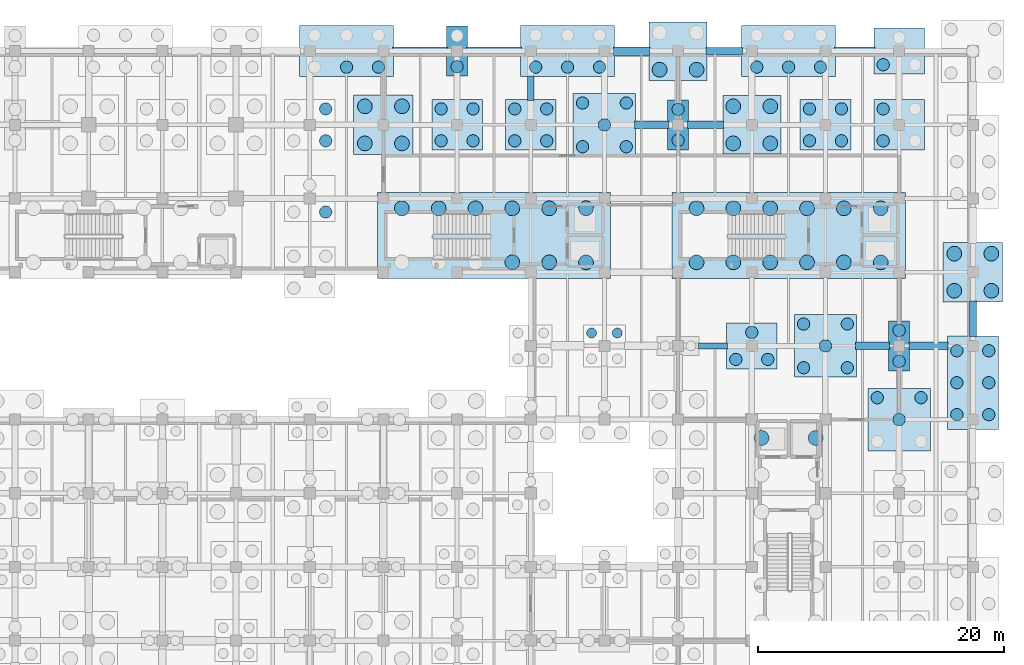
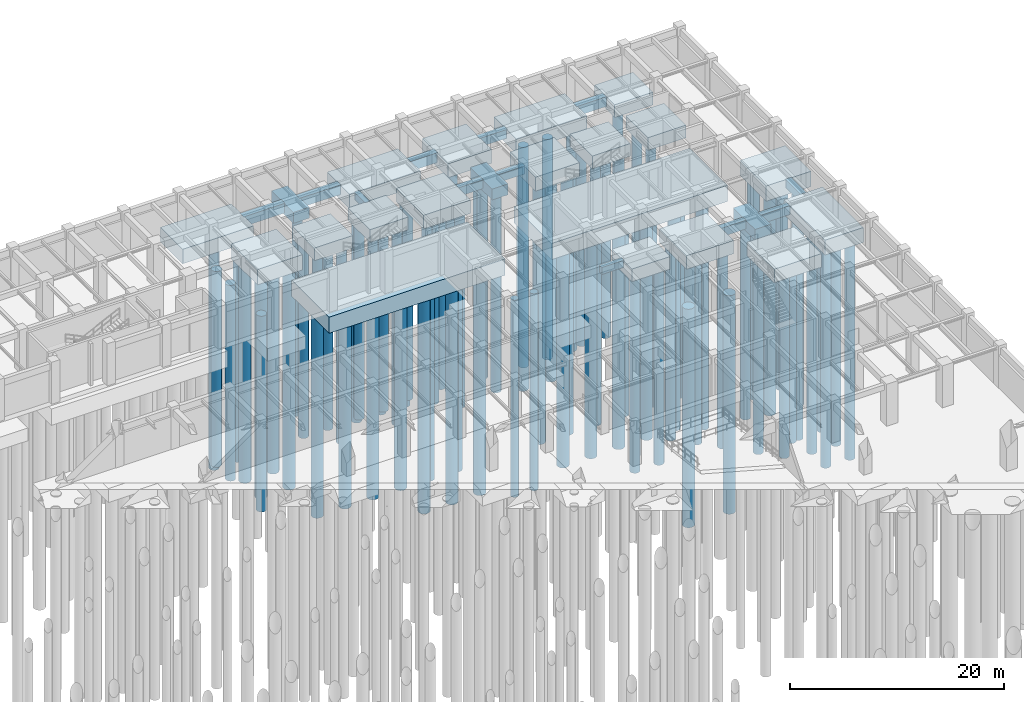
# One storey, part 22 of 54: 92 piles, 34 footings.
"""IFC4 building model written with IfcOpenShell, lengths in metres."""

from ifc_helpers import new_model, si_unit, direction, frame, origin, origin_2d, place, context, subcontext, project, spatial, rectangle, circle, extrude, material, material_profile, profile_set, type_object, element, save


model = new_model("IFC4")

# Units and contexts
model_context = context("Model", 3, precision=1e-05, world=origin(), true_north=direction((0.0, 1.0)))
body_context = subcontext(model_context, "Body", "Model", "MODEL_VIEW")
ifc_project = project(units=[si_unit("LENGTHUNIT", "METRE"), si_unit("AREAUNIT", "SQUARE_METRE"), si_unit("VOLUMEUNIT", "CUBIC_METRE"), si_unit("PLANEANGLEUNIT", "RADIAN"), si_unit("MASSUNIT", "GRAM", prefix="KILO"), si_unit("THERMODYNAMICTEMPERATUREUNIT", "KELVIN"), si_unit("POWERUNIT", "WATT")], contexts=[model_context])

# Site, building, storey
site_placement = place(None, origin())
site = spatial("IfcSite", under=ifc_project, at=site_placement, CompositionType="ELEMENT")
building_placement = place(site_placement, origin())
building = spatial("IfcBuilding", under=site, at=building_placement, Name="Phaisarnlok Congress Hotel", CompositionType="ELEMENT")
storey_placement = place(building_placement, frame((0.0, 0.0, -4.800048828125)))
storey = spatial("IfcBuildingStorey", under=building, at=storey_placement, Name="B01", CompositionType="ELEMENT", Elevation=-4.800048828125)

# Footings
ifc_material_1 = material(Name="Concrete C40/50", Category="concrete")
footing_type_1 = type_object("IfcFootingType", Name="CAP-2P-D", PredefinedType="PILE_CAP", material=ifc_material_1)
for number, where, z_axis, x_axis, name in (
    (1, (138.0, 126.0, -1.75), (0.0, 0.0, 1.0), (1.0, 0.0, 0.0), "Pile cap PC-14 at (138,126)"),
    (2, (156.0, 120.0, -1.75), (0.0, 0.0, 1.0), (1.0, 0.0, 0.0), "Pile cap PC-14 at (156,120)"),
    (3, (174.0, 102.0, -1.75), (0.0, 0.0, 1.0), (1.0, 0.0, 0.0), "Pile cap PC-14 at (174,102)"),
):
    element("IfcFooting", number, at=place(storey_placement, frame(where, z_axis=z_axis, x_axis=x_axis)), inside=storey, type_object=footing_type_1, Name=name, PredefinedType="PILE_CAP", context=body_context, shape_type="SweptSolid", body=[
        extrude(rectangle(XDim=1.719970703125, YDim=4.080078125, at=origin_2d()), origin(), (0.0, 0.0, 1.0), 1.25),
    ])
footing_type_2 = type_object("IfcFootingType", Name="CAP-3P-B", PredefinedType="PILE_CAP", material=ifc_material_1)
for number, where, z_axis, x_axis, name in (
    (4, (162.0, 102.0, -1.94970703125), (0.0, 0.0, 1.0), (1.0, 0.0, 0.0), "Pile cap PC-05 at (162,102)"),
    (5, (174.0, 126.0, -1.94970703125), (0.0, 0.0, 1.0), (1.0, 0.0, 0.0), "Pile cap PC-05 at (174,126)"),
):
    element("IfcFooting", number, at=place(storey_placement, frame(where, z_axis=z_axis, x_axis=x_axis)), inside=storey, type_object=footing_type_2, Name=name, PredefinedType="PILE_CAP", context=body_context, shape_type="SweptSolid", body=[
        extrude(rectangle(XDim=4.1201171875, YDim=3.739990234375, at=origin_2d()), origin(), (0.0, 0.0, 1.0), 1.449951171875),
    ])
footing_type_3 = type_object("IfcFootingType", Name="CAP-4P-B", PredefinedType="PILE_CAP", material=ifc_material_1)
for number, where, z_axis, x_axis, name in (
    (6, (138.0, 120.0, -1.94970703125), (0.0, 0.0, 1.0), (1.0, 0.0, 0.0), "Pile cap PC-07 at (138,120)"),
    (7, (144.0, 120.0, -1.94970703125), (0.0, 0.0, 1.0), (1.0, 0.0, 0.0), "Pile cap PC-07 at (144,120)"),
    (8, (168.0, 120.0, -1.94970703125), (0.0, 0.0, 1.0), (1.0, 0.0, 0.0), "Pile cap PC-07 at (168,120)"),
    (9, (174.0, 120.0, -1.94970703125), (0.0, 0.0, 1.0), (1.0, 0.0, 0.0), "Pile cap PC-07 at (174,120)"),
):
    element("IfcFooting", number, at=place(storey_placement, frame(where, z_axis=z_axis, x_axis=x_axis)), inside=storey, type_object=footing_type_3, Name=name, PredefinedType="PILE_CAP", context=body_context, shape_type="SweptSolid", body=[
        extrude(rectangle(XDim=4.1201171875, YDim=4.1201171875, at=origin_2d()), origin(), (0.0, 0.0, 1.0), 1.449951171875),
    ])
footing_type_4 = type_object("IfcFootingType", Name="CAP-4P-C", PredefinedType="PILE_CAP", material=ifc_material_1)
for number, where, z_axis, x_axis, name in (
    (10, (156.0, 126.0, -2.10009765625), (0.0, 0.0, 1.0), (1.0, 0.0, 0.0), "Pile cap PC-08 at (156,126)"),
    (11, (162.0, 120.0, -2.10009765625), (0.0, 0.0, 1.0), (1.0, 0.0, 0.0), "Pile cap PC-08 at (162,120)"),
):
    element("IfcFooting", number, at=place(storey_placement, frame(where, z_axis=z_axis, x_axis=x_axis)), inside=storey, type_object=footing_type_4, Name=name, PredefinedType="PILE_CAP", context=body_context, shape_type="SweptSolid", body=[
        extrude(rectangle(XDim=4.719970703125, YDim=4.760009765625, at=origin_2d()), origin(), (0.0, 0.0, 1.0), 1.60009765625),
    ])
footing_type_5 = type_object("IfcFootingType", Name="CAP-4P-D", PredefinedType="PILE_CAP", material=ifc_material_1)
for number, where, z_axis, x_axis, name in (
    (12, (132.0, 120.0, -2.25), (0.0, 0.0, 1.0), (1.0, 0.0, 0.0), "Pile cap PC-09 at (132,120)"),
    (13, (180.0, 108.0, -2.25), (0.0, 0.0, 1.0), (1.0, 0.0, 0.0), "Pile cap PC-09 at (180,108)"),
):
    element("IfcFooting", number, at=place(storey_placement, frame(where, z_axis=z_axis, x_axis=x_axis)), inside=storey, type_object=footing_type_5, Name=name, PredefinedType="PILE_CAP", context=body_context, shape_type="SweptSolid", body=[
        extrude(rectangle(XDim=4.840087890625, YDim=4.840087890625, at=origin_2d()), origin(), (0.0, 0.0, 1.0), 1.75),
    ])
footing_type_6 = type_object("IfcFootingType", Name="CAP-5P-A", PredefinedType="PILE_CAP", material=ifc_material_1)
for number, where, z_axis, x_axis, name in (
    (14, (150.0, 120.0, -2.0498046875), (0.0, 0.0, 1.0), (1.0, 0.0, 0.0), "Pile cap PC-13 at (150,120)"),
    (15, (168.0, 102.0, -2.0498046875), (0.0, 0.0, 1.0), (1.0, 0.0, 0.0), "Pile cap PC-13 at (168,102)"),
    (16, (174.0, 96.0, -2.0498046875), (0.0, 0.0, 1.0), (1.0, 0.0, 0.0), "Pile cap PC-13 at (174,96)"),
):
    element("IfcFooting", number, at=place(storey_placement, frame(where, z_axis=z_axis, x_axis=x_axis)), inside=storey, type_object=footing_type_6, Name=name, PredefinedType="PILE_CAP", context=body_context, shape_type="SweptSolid", body=[
        extrude(rectangle(XDim=5.080078125, YDim=5.080078125, at=origin_2d()), origin(), (0.0, 0.0, 1.0), 1.550048828125),
    ])
footing_type_7 = type_object("IfcFootingType", Name="CAP-6P-A", PredefinedType="PILE_CAP", material=ifc_material_1)
for number, where, z_axis, x_axis, name in (
    (17, (129.0, 126.0, -2.14990234375), (0.0, 0.0, 1.0), (1.0, 0.0, 0.0), "Combined pile cap PC-11 at (129,126)"),
    (18, (147.0, 126.0, -2.14990234375), (0.0, 0.0, 1.0), (1.0, 0.0, 0.0), "Combined pile cap PC-11 at (147,126)"),
    (19, (165.0, 126.0, -2.14990234375), (0.0, 0.0, 1.0), (1.0, 0.0, 0.0), "Combined pile cap PC-11 at (165,126)"),
):
    element("IfcFooting", number, at=place(storey_placement, frame(where, z_axis=z_axis, x_axis=x_axis)), inside=storey, type_object=footing_type_7, Name=name, PredefinedType="PILE_CAP", context=body_context, shape_type="SweptSolid", body=[
        extrude(rectangle(XDim=7.639892578125, YDim=4.159912109375, at=origin_2d()), origin(), (0.0, 0.0, 1.0), 1.64990234375),
    ])
footing_type_8 = type_object("IfcFootingType", Name="CAP-6P-B", PredefinedType="PILE_CAP", material=ifc_material_1)
footing_1_placement = place(storey_placement, frame((180.0, 99.0, -2.19970703125), z_axis=(0.0, 0.0, 1.0), x_axis=(1.0, 0.0, 0.0)))
element("IfcFooting", 20, at=footing_1_placement, inside=storey, type_object=footing_type_8, Name="Combined pile cap PC-12 at (180,99)", PredefinedType="PILE_CAP", context=body_context, shape_type="SweptSolid", body=[
    extrude(rectangle(XDim=4.159912109375, YDim=7.639892578125, at=origin_2d()), origin(), (0.0, 0.0, 1.0), 1.699951171875),
])
footing_type_9 = type_object("IfcFootingType", Name="CAP-CORE-H", PredefinedType="PILE_CAP", material=ifc_material_1)
for number, where, z_axis, x_axis, name in (
    (21, (165.0, 111.0, -2.35009765625), (0.0, 0.0, 1.0), (1.0, 0.0, 0.0), "Core pile cap PC-15 (CORE-1)"),
    (22, (141.0, 111.0, -2.35009765625), (0.0, 0.0, 1.0), (1.0, 0.0, 0.0), "Core pile cap PC-15 (CORE-2)"),
):
    element("IfcFooting", number, at=place(storey_placement, frame(where, z_axis=z_axis, x_axis=x_axis)), inside=storey, type_object=footing_type_9, Name=name, PredefinedType="PILE_CAP", context=body_context, shape_type="SweptSolid", body=[
        extrude(rectangle(XDim=19.0, YDim=7.0, at=origin_2d()), origin(), (0.0, 0.0, 1.0), 1.85009765625),
    ])
ifc_material_profile_1 = material_profile(ifc_material_1, rectangle(XDim=0.5, YDim=0.800048828125, at=origin_2d()), Name="FB-500x800")
ifc_profile_set_1 = profile_set([ifc_material_profile_1], Name="Concrete C40/50")
footing_type_10 = type_object("IfcFootingType", Name="FB-500x800", PredefinedType="FOOTING_BEAM", material=ifc_profile_set_1)
footing_2_placement = place(storey_placement, frame((144.0, 121.985107421875, -0.89990234375), z_axis=(0.0, 1.0, 0.0), x_axis=(-1.0, 0.0, 0.0)))
element("IfcFooting", 23, at=footing_2_placement, inside=storey, type_object=footing_type_10, Name="Ground tie beam FB-01", PredefinedType="FOOTING_BEAM", context=body_context, shape_type="SweptSolid", body=[
    extrude(rectangle(XDim=0.5, YDim=0.800048828125, at=origin_2d()), origin(), (0.0, 0.0, 1.0), 2.010009765625),
])
footing_3_placement = place(storey_placement, frame((157.64501953125, 102.0, -0.89990234375), z_axis=(1.0, 0.0, 0.0), x_axis=(0.0, 1.0, 0.0)))
element("IfcFooting", 24, at=footing_3_placement, inside=storey, type_object=footing_type_10, Name="Ground tie beam FB-01", PredefinedType="FOOTING_BEAM", context=body_context, shape_type="SweptSolid", body=[
    extrude(rectangle(XDim=0.5, YDim=0.800048828125, at=origin_2d()), origin(), (0.0, 0.0, 1.0), 2.369873046875),
])
ifc_material_profile_2 = material_profile(ifc_material_1, rectangle(XDim=0.60009765625, YDim=1.0, at=origin_2d()), Name="FB-600x1000")
ifc_profile_set_2 = profile_set([ifc_material_profile_2], Name="Concrete C40/50")
footing_type_11 = type_object("IfcFootingType", Name="FB-600x1000", PredefinedType="FOOTING_BEAM", material=ifc_profile_set_2)
footing_4_placement = place(storey_placement, frame((152.465087890625, 120.0, -1.0), z_axis=(1.0, 0.0, 0.0), x_axis=(0.0, 1.0, 0.0)))
element("IfcFooting", 25, at=footing_4_placement, inside=storey, type_object=footing_type_11, Name="Ground tie beam FB-03", PredefinedType="FOOTING_BEAM", context=body_context, shape_type="SweptSolid", body=[
    extrude(rectangle(XDim=0.60009765625, YDim=1.0, at=origin_2d()), origin(), (0.0, 0.0, 1.0), 2.75),
])
footing_5_placement = place(storey_placement, frame((158.284912109375, 126.0, -1.0), z_axis=(1.0, 0.0, 0.0), x_axis=(0.0, 1.0, 0.0)))
element("IfcFooting", 26, at=footing_5_placement, inside=storey, type_object=footing_type_11, Name="Ground tie beam FB-03", PredefinedType="FOOTING_BEAM", context=body_context, shape_type="SweptSolid", body=[
    extrude(rectangle(XDim=0.60009765625, YDim=1.0, at=origin_2d()), origin(), (0.0, 0.0, 1.0), 2.969970703125),
])
footing_6_placement = place(storey_placement, frame((170.465087890625, 102.0, -1.0), z_axis=(1.0, 0.0, 0.0), x_axis=(0.0, 1.0, 0.0)))
element("IfcFooting", 27, at=footing_6_placement, inside=storey, type_object=footing_type_11, Name="Ground tie beam FB-03", PredefinedType="FOOTING_BEAM", context=body_context, shape_type="SweptSolid", body=[
    extrude(rectangle(XDim=0.60009765625, YDim=1.0, at=origin_2d()), origin(), (0.0, 0.0, 1.0), 2.75),
])
footing_7_placement = place(storey_placement, frame((174.784912109375, 102.0, -1.0), z_axis=(1.0, 0.0, 0.0), x_axis=(0.0, 1.0, 0.0)))
element("IfcFooting", 28, at=footing_7_placement, inside=storey, type_object=footing_type_11, Name="Ground tie beam FB-03", PredefinedType="FOOTING_BEAM", context=body_context, shape_type="SweptSolid", body=[
    extrude(rectangle(XDim=0.60009765625, YDim=1.0, at=origin_2d()), origin(), (0.0, 0.0, 1.0), 3.210205078125),
])
ifc_material_profile_3 = material_profile(ifc_material_1, rectangle(XDim=0.60009765625, YDim=0.89990234375, at=origin_2d()), Name="FB-600x900")
ifc_profile_set_3 = profile_set([ifc_material_profile_3], Name="Concrete C40/50")
footing_type_12 = type_object("IfcFootingType", Name="FB-600x900", PredefinedType="FOOTING_BEAM", material=ifc_profile_set_3)
footing_8_placement = place(storey_placement, frame((156.784912109375, 120.0, -0.949951171875), z_axis=(1.0, 0.0, 0.0), x_axis=(0.0, 1.0, 0.0)))
element("IfcFooting", 29, at=footing_8_placement, inside=storey, type_object=footing_type_12, Name="Ground tie beam FB-02", PredefinedType="FOOTING_BEAM", context=body_context, shape_type="SweptSolid", body=[
    extrude(rectangle(XDim=0.60009765625, YDim=0.89990234375, at=origin_2d()), origin(), (0.0, 0.0, 1.0), 2.93017578125),
])
footing_9_placement = place(storey_placement, frame((180.0, 102.7451171875, -0.949951171875), z_axis=(0.0, 1.0, 0.0), x_axis=(-1.0, 0.0, 0.0)))
element("IfcFooting", 30, at=footing_9_placement, inside=storey, type_object=footing_type_12, Name="Ground tie beam FB-02", PredefinedType="FOOTING_BEAM", context=body_context, shape_type="SweptSolid", body=[
    extrude(rectangle(XDim=0.60009765625, YDim=0.89990234375, at=origin_2d()), origin(), (0.0, 0.0, 1.0), 2.909912109375),
])
ifc_material_profile_4 = material_profile(ifc_material_1, rectangle(XDim=0.699951171875, YDim=1.10009765625, at=origin_2d()), Name="FB-700x1100")
ifc_profile_set_4 = profile_set([ifc_material_profile_4], Name="Concrete C40/50")
footing_type_13 = type_object("IfcFootingType", Name="FB-700x1100", PredefinedType="FOOTING_BEAM", material=ifc_profile_set_4)
for number, where, z_axis, x_axis, name in (
    (31, (132.7451171875, 126.0, -1.050048828125), (1.0, 0.0, 0.0), (0.0, 1.0, 0.0), "Ground tie beam FB-04"),
    (32, (138.784912109375, 126.0, -1.050048828125), (1.0, 0.0, 0.0), (0.0, 1.0, 0.0), "Ground tie beam FB-04"),
):
    element("IfcFooting", number, at=place(storey_placement, frame(where, z_axis=z_axis, x_axis=x_axis)), inside=storey, type_object=footing_type_13, Name=name, PredefinedType="FOOTING_BEAM", context=body_context, shape_type="SweptSolid", body=[
        extrude(rectangle(XDim=0.699951171875, YDim=1.10009765625, at=origin_2d()), origin(), (0.0, 0.0, 1.0), 4.469970703125),
    ])
footing_10_placement = place(storey_placement, frame((150.7451171875, 126.0, -1.050048828125), z_axis=(1.0, 0.0, 0.0), x_axis=(0.0, 1.0, 0.0)))
element("IfcFooting", 33, at=footing_10_placement, inside=storey, type_object=footing_type_13, Name="Ground tie beam FB-04", PredefinedType="FOOTING_BEAM", context=body_context, shape_type="SweptSolid", body=[
    extrude(rectangle(XDim=0.699951171875, YDim=1.10009765625, at=origin_2d()), origin(), (0.0, 0.0, 1.0), 2.969970703125),
])
footing_11_placement = place(storey_placement, frame((168.7451171875, 126.0, -1.050048828125), z_axis=(1.0, 0.0, 0.0), x_axis=(0.0, 1.0, 0.0)))
element("IfcFooting", 34, at=footing_11_placement, inside=storey, type_object=footing_type_13, Name="Ground tie beam FB-04", PredefinedType="FOOTING_BEAM", context=body_context, shape_type="SweptSolid", body=[
    extrude(rectangle(XDim=0.699951171875, YDim=1.10009765625, at=origin_2d()), origin(), (0.0, 0.0, 1.0), 3.269775390625),
])

# Piles
ifc_material_2 = material(Name="Concrete C35/45", Category="concrete")
ifc_material_profile_5 = material_profile(ifc_material_2, circle(Radius=0.5, at=origin_2d()), Name="BORED PILE D1000")
ifc_profile_set_5 = profile_set([ifc_material_profile_5], Name="Concrete C35/45")
pile_type_1 = type_object("IfcPileType", Name="PILE-D1000", PredefinedType="BORED", material=ifc_profile_set_5)
for number, where, z_axis, x_axis, name in (
    (35, (129.0, 124.699951171875, -2.050048828125), (0.0, 0.0, -1.0), (1.0, 0.0, 0.0), "Bored pile PL-02 (FTG-B01-126-126-2)"),
    (36, (131.60009765625, 124.699951171875, -2.050048828125), (0.0, 0.0, -1.0), (1.0, 0.0, 0.0), "Bored pile PL-02 (FTG-B01-126-126-3)"),
    (37, (144.39990234375, 124.699951171875, -2.050048828125), (0.0, 0.0, -1.0), (1.0, 0.0, 0.0), "Bored pile PL-02 (FTG-B01-144-126-1)"),
    (38, (147.0, 124.699951171875, -2.050048828125), (0.0, 0.0, -1.0), (1.0, 0.0, 0.0), "Bored pile PL-02 (FTG-B01-144-126-2)"),
    (39, (149.60009765625, 124.699951171875, -2.050048828125), (0.0, 0.0, -1.0), (1.0, 0.0, 0.0), "Bored pile PL-02 (FTG-B01-144-126-3)"),
    (40, (162.39990234375, 124.699951171875, -2.050048828125), (0.0, 0.0, -1.0), (1.0, 0.0, 0.0), "Bored pile PL-02 (FTG-B01-162-126-1)"),
    (41, (165.0, 124.699951171875, -2.050048828125), (0.0, 0.0, -1.0), (1.0, 0.0, 0.0), "Bored pile PL-02 (FTG-B01-162-126-2)"),
    (42, (167.60009765625, 124.699951171875, -2.050048828125), (0.0, 0.0, -1.0), (1.0, 0.0, 0.0), "Bored pile PL-02 (FTG-B01-162-126-3)"),
):
    element("IfcPile", number, at=place(storey_placement, frame(where, z_axis=z_axis, x_axis=x_axis)), inside=storey, type_object=pile_type_1, Name=name, PredefinedType="BORED", context=body_context, shape_type="SweptSolid", body=[
        extrude(circle(Radius=0.5, at=origin_2d()), origin(), (0.0, 0.0, 1.0), 25.14990234375),
    ])
for number, where, z_axis, x_axis, name in (
    (43, (178.699951171875, 96.39990234375, -2.099853515625), (0.0, 0.0, -1.0), (1.0, 0.0, 0.0), "Bored pile PL-02 (FTG-B01-180-096-1)"),
    (44, (181.300048828125, 96.39990234375, -2.099853515625), (0.0, 0.0, -1.0), (1.0, 0.0, 0.0), "Bored pile PL-02 (FTG-B01-180-096-2)"),
    (45, (178.699951171875, 99.0, -2.099853515625), (0.0, 0.0, -1.0), (1.0, 0.0, 0.0), "Bored pile PL-02 (FTG-B01-180-096-3)"),
    (46, (181.300048828125, 99.0, -2.099853515625), (0.0, 0.0, -1.0), (1.0, 0.0, 0.0), "Bored pile PL-02 (FTG-B01-180-096-4)"),
    (47, (178.699951171875, 101.60009765625, -2.099853515625), (0.0, 0.0, -1.0), (1.0, 0.0, 0.0), "Bored pile PL-02 (FTG-B01-180-096-5)"),
    (48, (181.300048828125, 101.60009765625, -2.099853515625), (0.0, 0.0, -1.0), (1.0, 0.0, 0.0), "Bored pile PL-02 (FTG-B01-180-096-6)"),
):
    element("IfcPile", number, at=place(storey_placement, frame(where, z_axis=z_axis, x_axis=x_axis)), inside=storey, type_object=pile_type_1, Name=name, PredefinedType="BORED", context=body_context, shape_type="SweptSolid", body=[
        extrude(circle(Radius=0.5, at=origin_2d()), origin(), (0.0, 0.0, 1.0), 25.10009765625),
    ])
for number, where, z_axis, x_axis, name in (
    (49, (127.300048828125, 112.89990234375, -1.849853515625), (0.0, 0.0, -1.0), (1.0, 0.0, 0.0), "Bored pile PL-02 (FTG-B01-126-114-2)"),
    (50, (127.300048828125, 118.699951171875, -1.849853515625), (0.0, 0.0, -1.0), (1.0, 0.0, 0.0), "Bored pile PL-02 (FTG-B01-126-120-2)"),
    (51, (127.300048828125, 121.300048828125, -1.849853515625), (0.0, 0.0, -1.0), (1.0, 0.0, 0.0), "Bored pile PL-02 (FTG-B01-126-120-4)"),
    (52, (136.699951171875, 118.699951171875, -1.849853515625), (0.0, 0.0, -1.0), (1.0, 0.0, 0.0), "Bored pile PL-02 (FTG-B01-138-120-1)"),
    (53, (139.300048828125, 118.699951171875, -1.849853515625), (0.0, 0.0, -1.0), (1.0, 0.0, 0.0), "Bored pile PL-02 (FTG-B01-138-120-2)"),
    (54, (136.699951171875, 121.300048828125, -1.849853515625), (0.0, 0.0, -1.0), (1.0, 0.0, 0.0), "Bored pile PL-02 (FTG-B01-138-120-3)"),
    (55, (139.300048828125, 121.300048828125, -1.849853515625), (0.0, 0.0, -1.0), (1.0, 0.0, 0.0), "Bored pile PL-02 (FTG-B01-138-120-4)"),
):
    element("IfcPile", number, at=place(storey_placement, frame(where, z_axis=z_axis, x_axis=x_axis)), inside=storey, type_object=pile_type_1, Name=name, PredefinedType="BORED", context=body_context, shape_type="SweptSolid", body=[
        extrude(circle(Radius=0.5, at=origin_2d()), origin(), (0.0, 0.0, 1.0), 22.35009765625),
    ])
pile_placement = place(storey_placement, frame((138.0, 124.739990234375, -1.64990234375), z_axis=(0.0, 0.0, -1.0), x_axis=(1.0, 0.0, 0.0)))
element("IfcPile", 56, at=pile_placement, inside=storey, type_object=pile_type_1, Name="Bored pile PL-02 (FTG-B01-138-126-1)", PredefinedType="BORED", context=body_context, shape_type="SweptSolid", body=[
    extrude(circle(Radius=0.5, at=origin_2d()), origin(), (0.0, 0.0, 1.0), 22.550048828125),
])
for number, where, z_axis, x_axis, name in (
    (57, (142.699951171875, 118.699951171875, -1.849853515625), (0.0, 0.0, -1.0), (1.0, 0.0, 0.0), "Bored pile PL-02 (FTG-B01-144-120-1)"),
    (58, (145.300048828125, 118.699951171875, -1.849853515625), (0.0, 0.0, -1.0), (1.0, 0.0, 0.0), "Bored pile PL-02 (FTG-B01-144-120-2)"),
    (59, (142.699951171875, 121.300048828125, -1.849853515625), (0.0, 0.0, -1.0), (1.0, 0.0, 0.0), "Bored pile PL-02 (FTG-B01-144-120-3)"),
    (60, (145.300048828125, 121.300048828125, -1.849853515625), (0.0, 0.0, -1.0), (1.0, 0.0, 0.0), "Bored pile PL-02 (FTG-B01-144-120-4)"),
):
    element("IfcPile", number, at=place(storey_placement, frame(where, z_axis=z_axis, x_axis=x_axis)), inside=storey, type_object=pile_type_1, Name=name, PredefinedType="BORED", context=body_context, shape_type="SweptSolid", body=[
        extrude(circle(Radius=0.5, at=origin_2d()), origin(), (0.0, 0.0, 1.0), 22.35009765625),
    ])
for number, where, z_axis, x_axis, name in (
    (61, (148.219970703125, 118.219970703125, -1.949951171875), (0.0, 0.0, -1.0), (1.0, 0.0, 0.0), "Bored pile PL-02 (FTG-B01-150-120-1)"),
    (62, (151.780029296875, 118.219970703125, -1.949951171875), (0.0, 0.0, -1.0), (1.0, 0.0, 0.0), "Bored pile PL-02 (FTG-B01-150-120-2)"),
    (63, (150.0, 120.0, -1.949951171875), (0.0, 0.0, -1.0), (1.0, 0.0, 0.0), "Bored pile PL-02 (FTG-B01-150-120-3)"),
    (64, (148.219970703125, 121.780029296875, -1.949951171875), (0.0, 0.0, -1.0), (1.0, 0.0, 0.0), "Bored pile PL-02 (FTG-B01-150-120-4)"),
    (65, (151.780029296875, 121.780029296875, -1.949951171875), (0.0, 0.0, -1.0), (1.0, 0.0, 0.0), "Bored pile PL-02 (FTG-B01-150-120-5)"),
):
    element("IfcPile", number, at=place(storey_placement, frame(where, z_axis=z_axis, x_axis=x_axis)), inside=storey, type_object=pile_type_1, Name=name, PredefinedType="BORED", context=body_context, shape_type="SweptSolid", body=[
        extrude(circle(Radius=0.5, at=origin_2d()), origin(), (0.0, 0.0, 1.0), 22.25),
    ])
for number, where, z_axis, x_axis, name in (
    (66, (156.0, 118.739990234375, -1.64990234375), (0.0, 0.0, -1.0), (1.0, 0.0, 0.0), "Bored pile PL-02 (FTG-B01-156-120-1)"),
    (67, (156.0, 121.260009765625, -1.64990234375), (0.0, 0.0, -1.0), (1.0, 0.0, 0.0), "Bored pile PL-02 (FTG-B01-156-120-2)"),
):
    element("IfcPile", number, at=place(storey_placement, frame(where, z_axis=z_axis, x_axis=x_axis)), inside=storey, type_object=pile_type_1, Name=name, PredefinedType="BORED", context=body_context, shape_type="SweptSolid", body=[
        extrude(circle(Radius=0.5, at=origin_2d()), origin(), (0.0, 0.0, 1.0), 22.550048828125),
    ])
for number, where, z_axis, x_axis, name in (
    (68, (160.699951171875, 100.89990234375, -1.849853515625), (0.0, 0.0, -1.0), (1.0, 0.0, 0.0), "Bored pile PL-02 (FTG-B01-162-102-1)"),
    (69, (163.300048828125, 100.89990234375, -1.849853515625), (0.0, 0.0, -1.0), (1.0, 0.0, 0.0), "Bored pile PL-02 (FTG-B01-162-102-2)"),
    (70, (162.0, 103.10009765625, -1.849853515625), (0.0, 0.0, -1.0), (1.0, 0.0, 0.0), "Bored pile PL-02 (FTG-B01-162-102-3)"),
):
    element("IfcPile", number, at=place(storey_placement, frame(where, z_axis=z_axis, x_axis=x_axis)), inside=storey, type_object=pile_type_1, Name=name, PredefinedType="BORED", context=body_context, shape_type="SweptSolid", body=[
        extrude(circle(Radius=0.5, at=origin_2d()), origin(), (0.0, 0.0, 1.0), 22.35009765625),
    ])
for number, where, z_axis, x_axis, name in (
    (71, (166.219970703125, 100.219970703125, -1.949951171875), (0.0, 0.0, -1.0), (1.0, 0.0, 0.0), "Bored pile PL-02 (FTG-B01-168-102-1)"),
    (72, (169.780029296875, 100.219970703125, -1.949951171875), (0.0, 0.0, -1.0), (1.0, 0.0, 0.0), "Bored pile PL-02 (FTG-B01-168-102-2)"),
    (73, (168.0, 102.0, -1.949951171875), (0.0, 0.0, -1.0), (1.0, 0.0, 0.0), "Bored pile PL-02 (FTG-B01-168-102-3)"),
    (74, (166.219970703125, 103.780029296875, -1.949951171875), (0.0, 0.0, -1.0), (1.0, 0.0, 0.0), "Bored pile PL-02 (FTG-B01-168-102-4)"),
    (75, (169.780029296875, 103.780029296875, -1.949951171875), (0.0, 0.0, -1.0), (1.0, 0.0, 0.0), "Bored pile PL-02 (FTG-B01-168-102-5)"),
):
    element("IfcPile", number, at=place(storey_placement, frame(where, z_axis=z_axis, x_axis=x_axis)), inside=storey, type_object=pile_type_1, Name=name, PredefinedType="BORED", context=body_context, shape_type="SweptSolid", body=[
        extrude(circle(Radius=0.5, at=origin_2d()), origin(), (0.0, 0.0, 1.0), 22.25),
    ])
for number, where, z_axis, x_axis, name in (
    (76, (166.699951171875, 118.699951171875, -1.849853515625), (0.0, 0.0, -1.0), (1.0, 0.0, 0.0), "Bored pile PL-02 (FTG-B01-168-120-1)"),
    (77, (169.300048828125, 118.699951171875, -1.849853515625), (0.0, 0.0, -1.0), (1.0, 0.0, 0.0), "Bored pile PL-02 (FTG-B01-168-120-2)"),
    (78, (166.699951171875, 121.300048828125, -1.849853515625), (0.0, 0.0, -1.0), (1.0, 0.0, 0.0), "Bored pile PL-02 (FTG-B01-168-120-3)"),
    (79, (169.300048828125, 121.300048828125, -1.849853515625), (0.0, 0.0, -1.0), (1.0, 0.0, 0.0), "Bored pile PL-02 (FTG-B01-168-120-4)"),
):
    element("IfcPile", number, at=place(storey_placement, frame(where, z_axis=z_axis, x_axis=x_axis)), inside=storey, type_object=pile_type_1, Name=name, PredefinedType="BORED", context=body_context, shape_type="SweptSolid", body=[
        extrude(circle(Radius=0.5, at=origin_2d()), origin(), (0.0, 0.0, 1.0), 22.35009765625),
    ])
for number, where, z_axis, x_axis, name in (
    (80, (174.0, 96.0, -1.949951171875), (0.0, 0.0, -1.0), (1.0, 0.0, 0.0), "Bored pile PL-02 (FTG-B01-174-096-3)"),
    (81, (172.219970703125, 97.780029296875, -1.949951171875), (0.0, 0.0, -1.0), (1.0, 0.0, 0.0), "Bored pile PL-02 (FTG-B01-174-096-4)"),
    (82, (175.780029296875, 97.780029296875, -1.949951171875), (0.0, 0.0, -1.0), (1.0, 0.0, 0.0), "Bored pile PL-02 (FTG-B01-174-096-5)"),
):
    element("IfcPile", number, at=place(storey_placement, frame(where, z_axis=z_axis, x_axis=x_axis)), inside=storey, type_object=pile_type_1, Name=name, PredefinedType="BORED", context=body_context, shape_type="SweptSolid", body=[
        extrude(circle(Radius=0.5, at=origin_2d()), origin(), (0.0, 0.0, 1.0), 22.25),
    ])
for number, where, z_axis, x_axis, name in (
    (83, (174.0, 100.739990234375, -1.64990234375), (0.0, 0.0, -1.0), (1.0, 0.0, 0.0), "Bored pile PL-02 (FTG-B01-174-102-1)"),
    (84, (174.0, 103.260009765625, -1.64990234375), (0.0, 0.0, -1.0), (1.0, 0.0, 0.0), "Bored pile PL-02 (FTG-B01-174-102-2)"),
):
    element("IfcPile", number, at=place(storey_placement, frame(where, z_axis=z_axis, x_axis=x_axis)), inside=storey, type_object=pile_type_1, Name=name, PredefinedType="BORED", context=body_context, shape_type="SweptSolid", body=[
        extrude(circle(Radius=0.5, at=origin_2d()), origin(), (0.0, 0.0, 1.0), 22.550048828125),
    ])
for number, where, z_axis, x_axis, name in (
    (85, (172.699951171875, 118.699951171875, -1.849853515625), (0.0, 0.0, -1.0), (1.0, 0.0, 0.0), "Bored pile PL-02 (FTG-B01-174-120-1)"),
    (86, (172.699951171875, 121.300048828125, -1.849853515625), (0.0, 0.0, -1.0), (1.0, 0.0, 0.0), "Bored pile PL-02 (FTG-B01-174-120-3)"),
    (87, (172.699951171875, 124.89990234375, -1.849853515625), (0.0, 0.0, -1.0), (1.0, 0.0, 0.0), "Bored pile PL-02 (FTG-B01-174-126-1)"),
):
    element("IfcPile", number, at=place(storey_placement, frame(where, z_axis=z_axis, x_axis=x_axis)), inside=storey, type_object=pile_type_1, Name=name, PredefinedType="BORED", context=body_context, shape_type="SweptSolid", body=[
        extrude(circle(Radius=0.5, at=origin_2d()), origin(), (0.0, 0.0, 1.0), 22.35009765625),
    ])
ifc_material_profile_6 = material_profile(ifc_material_2, circle(Radius=0.60009765625, at=origin_2d()), Name="BORED PILE D1200")
ifc_profile_set_6 = profile_set([ifc_material_profile_6], Name="Concrete C35/45")
pile_type_2 = type_object("IfcPileType", Name="PILE-D1200", PredefinedType="BORED", material=ifc_profile_set_6)
for number, where, z_axis, x_axis, name in (
    (88, (157.5, 108.800048828125, -2.25), (0.0, 0.0, -1.0), (1.0, 0.0, 0.0), "Bored pile PL-03 (CORE-1-01)"),
    (89, (157.5, 113.199951171875, -2.25), (0.0, 0.0, -1.0), (1.0, 0.0, 0.0), "Bored pile PL-03 (CORE-1-02)"),
    (90, (160.5, 108.800048828125, -2.25), (0.0, 0.0, -1.0), (1.0, 0.0, 0.0), "Bored pile PL-03 (CORE-1-03)"),
    (91, (160.5, 113.199951171875, -2.25), (0.0, 0.0, -1.0), (1.0, 0.0, 0.0), "Bored pile PL-03 (CORE-1-04)"),
    (92, (163.5, 108.800048828125, -2.25), (0.0, 0.0, -1.0), (1.0, 0.0, 0.0), "Bored pile PL-03 (CORE-1-05)"),
    (93, (163.5, 113.199951171875, -2.25), (0.0, 0.0, -1.0), (1.0, 0.0, 0.0), "Bored pile PL-03 (CORE-1-06)"),
    (94, (166.5, 108.800048828125, -2.25), (0.0, 0.0, -1.0), (1.0, 0.0, 0.0), "Bored pile PL-03 (CORE-1-07)"),
    (95, (166.5, 113.199951171875, -2.25), (0.0, 0.0, -1.0), (1.0, 0.0, 0.0), "Bored pile PL-03 (CORE-1-08)"),
    (96, (169.5, 108.800048828125, -2.25), (0.0, 0.0, -1.0), (1.0, 0.0, 0.0), "Bored pile PL-03 (CORE-1-09)"),
    (97, (169.5, 113.199951171875, -2.25), (0.0, 0.0, -1.0), (1.0, 0.0, 0.0), "Bored pile PL-03 (CORE-1-10)"),
    (98, (172.5, 108.800048828125, -2.25), (0.0, 0.0, -1.0), (1.0, 0.0, 0.0), "Bored pile PL-03 (CORE-1-11)"),
    (99, (172.5, 113.199951171875, -2.25), (0.0, 0.0, -1.0), (1.0, 0.0, 0.0), "Bored pile PL-03 (CORE-1-12)"),
    (100, (133.5, 113.199951171875, -2.25), (0.0, 0.0, -1.0), (1.0, 0.0, 0.0), "Bored pile PL-03 (CORE-2-02)"),
    (101, (136.5, 113.199951171875, -2.25), (0.0, 0.0, -1.0), (1.0, 0.0, 0.0), "Bored pile PL-03 (CORE-2-04)"),
    (102, (139.5, 113.199951171875, -2.25), (0.0, 0.0, -1.0), (1.0, 0.0, 0.0), "Bored pile PL-03 (CORE-2-06)"),
    (103, (142.5, 108.800048828125, -2.25), (0.0, 0.0, -1.0), (1.0, 0.0, 0.0), "Bored pile PL-03 (CORE-2-07)"),
    (104, (142.5, 113.199951171875, -2.25), (0.0, 0.0, -1.0), (1.0, 0.0, 0.0), "Bored pile PL-03 (CORE-2-08)"),
    (105, (145.5, 108.800048828125, -2.25), (0.0, 0.0, -1.0), (1.0, 0.0, 0.0), "Bored pile PL-03 (CORE-2-09)"),
    (106, (145.5, 113.199951171875, -2.25), (0.0, 0.0, -1.0), (1.0, 0.0, 0.0), "Bored pile PL-03 (CORE-2-10)"),
    (107, (148.5, 108.800048828125, -2.25), (0.0, 0.0, -1.0), (1.0, 0.0, 0.0), "Bored pile PL-03 (CORE-2-11)"),
    (108, (148.5, 113.199951171875, -2.25), (0.0, 0.0, -1.0), (1.0, 0.0, 0.0), "Bored pile PL-03 (CORE-2-12)"),
    (109, (162.800048828125, 94.5, -2.25), (0.0, 0.0, -1.0), (1.0, 0.0, 0.0), "Bored pile PL-03 (CORE-3-06)"),
    (110, (167.199951171875, 94.5, -2.25), (0.0, 0.0, -1.0), (1.0, 0.0, 0.0), "Bored pile PL-03 (CORE-3-12)"),
):
    element("IfcPile", number, at=place(storey_placement, frame(where, z_axis=z_axis, x_axis=x_axis)), inside=storey, type_object=pile_type_2, Name=name, PredefinedType="BORED", context=body_context, shape_type="SweptSolid", body=[
        extrude(circle(Radius=0.60009765625, at=origin_2d()), origin(), (0.0, 0.0, 1.0), 24.949951171875),
    ])
for number, where, z_axis, x_axis, name in (
    (111, (130.489990234375, 118.489990234375, -2.14990234375), (0.0, 0.0, -1.0), (1.0, 0.0, 0.0), "Bored pile PL-03 (FTG-B01-132-120-1)"),
    (112, (133.510009765625, 118.489990234375, -2.14990234375), (0.0, 0.0, -1.0), (1.0, 0.0, 0.0), "Bored pile PL-03 (FTG-B01-132-120-2)"),
    (113, (130.489990234375, 121.510009765625, -2.14990234375), (0.0, 0.0, -1.0), (1.0, 0.0, 0.0), "Bored pile PL-03 (FTG-B01-132-120-3)"),
    (114, (133.510009765625, 121.510009765625, -2.14990234375), (0.0, 0.0, -1.0), (1.0, 0.0, 0.0), "Bored pile PL-03 (FTG-B01-132-120-4)"),
):
    element("IfcPile", number, at=place(storey_placement, frame(where, z_axis=z_axis, x_axis=x_axis)), inside=storey, type_object=pile_type_2, Name=name, PredefinedType="BORED", context=body_context, shape_type="SweptSolid", body=[
        extrude(circle(Radius=0.60009765625, at=origin_2d()), origin(), (0.0, 0.0, 1.0), 25.050048828125),
    ])
for number, where, z_axis, x_axis, name in (
    (115, (154.489990234375, 124.489990234375, -2.0), (0.0, 0.0, -1.0), (1.0, 0.0, 0.0), "Bored pile PL-03 (FTG-B01-156-126-1)"),
    (116, (157.510009765625, 124.489990234375, -2.0), (0.0, 0.0, -1.0), (1.0, 0.0, 0.0), "Bored pile PL-03 (FTG-B01-156-126-2)"),
    (117, (160.489990234375, 118.489990234375, -2.0), (0.0, 0.0, -1.0), (1.0, 0.0, 0.0), "Bored pile PL-03 (FTG-B01-162-120-1)"),
    (118, (163.510009765625, 118.489990234375, -2.0), (0.0, 0.0, -1.0), (1.0, 0.0, 0.0), "Bored pile PL-03 (FTG-B01-162-120-2)"),
    (119, (160.489990234375, 121.510009765625, -2.0), (0.0, 0.0, -1.0), (1.0, 0.0, 0.0), "Bored pile PL-03 (FTG-B01-162-120-3)"),
    (120, (163.510009765625, 121.510009765625, -2.0), (0.0, 0.0, -1.0), (1.0, 0.0, 0.0), "Bored pile PL-03 (FTG-B01-162-120-4)"),
):
    element("IfcPile", number, at=place(storey_placement, frame(where, z_axis=z_axis, x_axis=x_axis)), inside=storey, type_object=pile_type_2, Name=name, PredefinedType="BORED", context=body_context, shape_type="SweptSolid", body=[
        extrude(circle(Radius=0.60009765625, at=origin_2d()), origin(), (0.0, 0.0, 1.0), 25.199951171875),
    ])
for number, where, z_axis, x_axis, name in (
    (121, (178.489990234375, 106.489990234375, -2.14990234375), (0.0, 0.0, -1.0), (1.0, 0.0, 0.0), "Bored pile PL-03 (FTG-B01-180-108-1)"),
    (122, (181.510009765625, 106.489990234375, -2.14990234375), (0.0, 0.0, -1.0), (1.0, 0.0, 0.0), "Bored pile PL-03 (FTG-B01-180-108-2)"),
    (123, (178.489990234375, 109.510009765625, -2.14990234375), (0.0, 0.0, -1.0), (1.0, 0.0, 0.0), "Bored pile PL-03 (FTG-B01-180-108-3)"),
    (124, (181.510009765625, 109.510009765625, -2.14990234375), (0.0, 0.0, -1.0), (1.0, 0.0, 0.0), "Bored pile PL-03 (FTG-B01-180-108-4)"),
):
    element("IfcPile", number, at=place(storey_placement, frame(where, z_axis=z_axis, x_axis=x_axis)), inside=storey, type_object=pile_type_2, Name=name, PredefinedType="BORED", context=body_context, shape_type="SweptSolid", body=[
        extrude(circle(Radius=0.60009765625, at=origin_2d()), origin(), (0.0, 0.0, 1.0), 25.050048828125),
    ])
ifc_material_profile_7 = material_profile(ifc_material_2, circle(Radius=0.39990234375, at=origin_2d()), Name="BORED PILE D800")
ifc_profile_set_7 = profile_set([ifc_material_profile_7], Name="Concrete C35/45")
pile_type_3 = type_object("IfcPileType", Name="PILE-D800", PredefinedType="BORED", material=ifc_profile_set_7)
for number, where, z_axis, x_axis, name in (
    (125, (148.949951171875, 103.050048828125, -1.699951171875), (0.0, 0.0, -1.0), (1.0, 0.0, 0.0), "Bored pile PL-01 (FTG-B01-150-102-3)"),
    (126, (151.050048828125, 103.050048828125, -1.699951171875), (0.0, 0.0, -1.0), (1.0, 0.0, 0.0), "Bored pile PL-01 (FTG-B01-150-102-4)"),
):
    element("IfcPile", number, at=place(storey_placement, frame(where, z_axis=z_axis, x_axis=x_axis)), inside=storey, type_object=pile_type_3, Name=name, PredefinedType="BORED", context=body_context, shape_type="SweptSolid", body=[
        extrude(circle(Radius=0.39990234375, at=origin_2d()), origin(), (0.0, 0.0, 1.0), 22.5),
    ])

save(model, "model.ifc")
